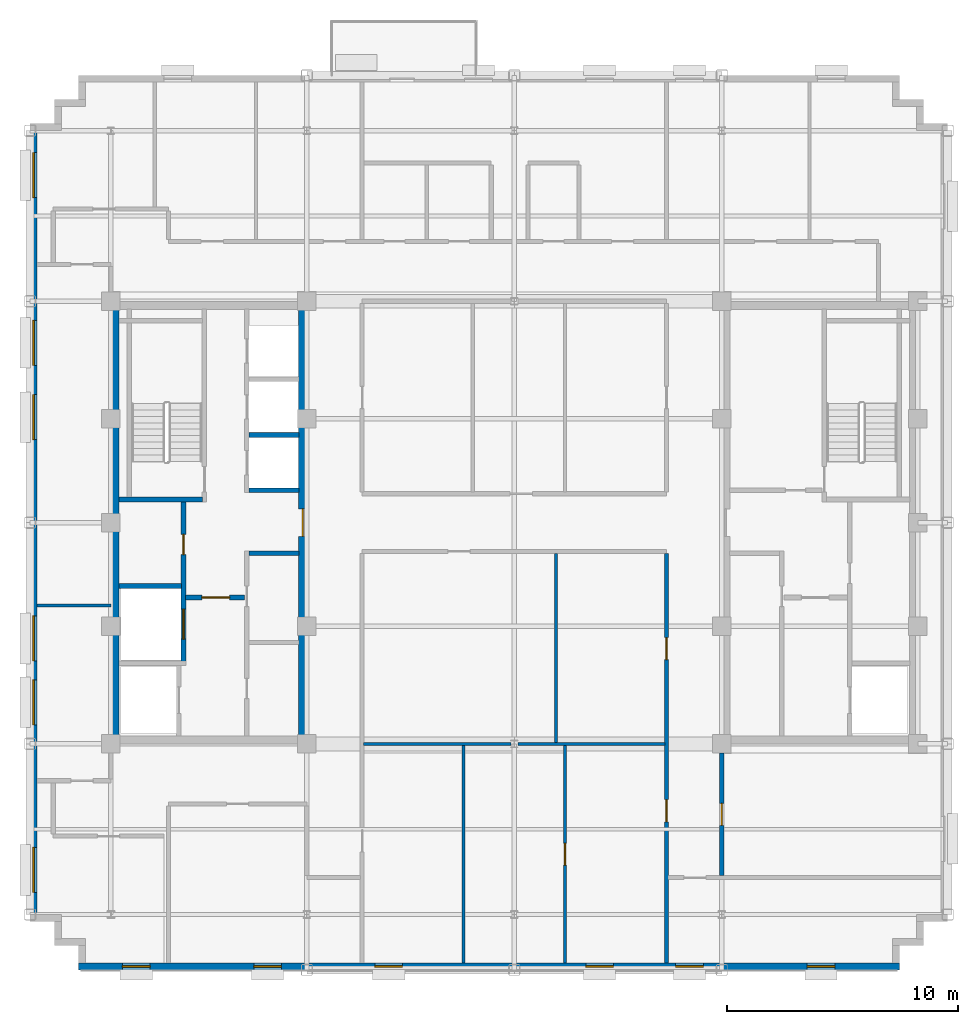
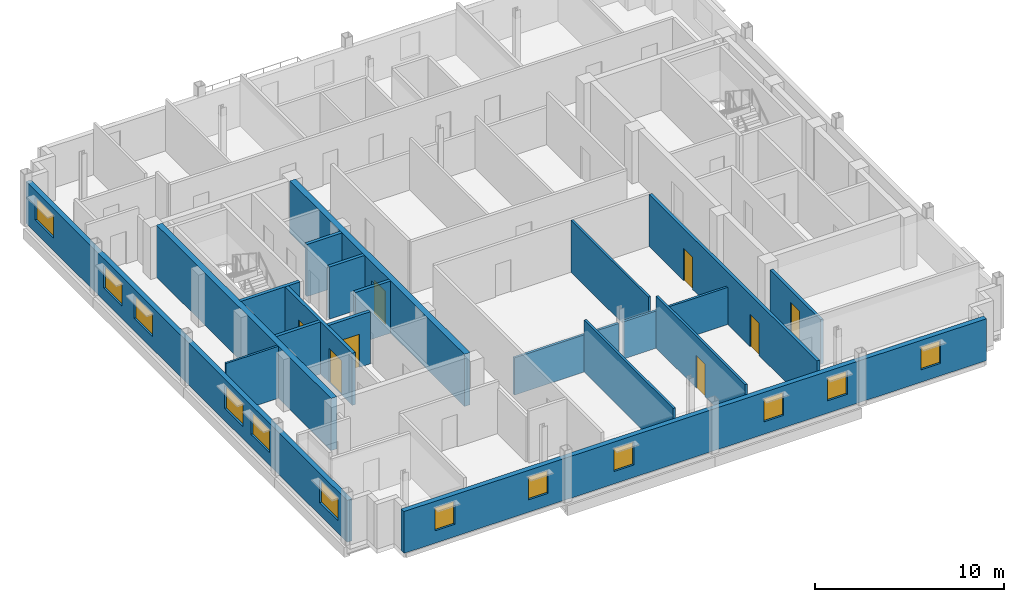
# One storey, part 6 of 14: 19 walls, 12 windows, 8 doors, 20 openings.
"""IFC4 building model written with IfcOpenShell, lengths in metres."""

from ifc_helpers import new_model, si_unit, direction, frame, frame_2d, origin, place, context, subcontext, project, spatial, rectangle, extrude, source, transform, mapped, material, layer, layer_set, type_object, type_shapes, element, fill, save


model = new_model("IFC4")

# Units and contexts
model_context = context("Model", 3, precision=1e-05, world=origin(), true_north=direction((0.0, 1.0)))
body_context = subcontext(model_context, "Body", "Model", "MODEL_VIEW")
ifc_project = project(units=[si_unit("LENGTHUNIT", "METRE"), si_unit("AREAUNIT", "SQUARE_METRE"), si_unit("VOLUMEUNIT", "CUBIC_METRE"), si_unit("PLANEANGLEUNIT", "RADIAN"), si_unit("MASSUNIT", "GRAM", prefix="KILO")], contexts=[model_context])

# Site, building, storey
site_placement = place(None, origin())
site = spatial("IfcSite", under=ifc_project, at=site_placement, CompositionType="ELEMENT")
building_placement = place(site_placement, origin())
building = spatial("IfcBuilding", under=site, at=building_placement, Name="Nuvemarco Arch Tower", CompositionType="ELEMENT")
storey_placement = place(building_placement, frame((0.0, 0.0, 268.89990234375)))
storey = spatial("IfcBuildingStorey", under=building, at=storey_placement, Name="L71", CompositionType="ELEMENT", Elevation=268.89990234375)

# Wall, openings, windows
ifc_material_1 = material(Name="Precast concrete C45/55", Category="concrete")
ifc_layer_1 = layer(ifc_material_1, 0.300048828125, Name="EW-HIGH-300")
ifc_layer_set_1 = layer_set([ifc_layer_1], Name="Precast concrete C45/55")
wall_type_1 = type_object("IfcWallType", Name="EW-HIGH-300", PredefinedType="STANDARD", material=ifc_layer_set_1)
wall_1_placement = place(storey_placement, frame((-18.89990234375, -19.25, 0.0), z_axis=(0.0, 0.0, 1.0), x_axis=(1.0, 0.0, 0.0)))
wall_1 = element("IfcWall", 1, at=wall_1_placement, inside=storey, type_object=wall_type_1, Name="L71 exterior precast facade wall 1", PredefinedType="STANDARD", context=body_context, shape_type="SweptSolid", body=[
    extrude(rectangle(XDim=35.599853515625, YDim=0.300048828125, at=frame_2d((17.7998046875, 0.0))), origin(), (0.0, 0.0, 1.0), 2.705078125),
])
opening_1_placement = place(wall_1_placement, frame((1.89990234375, 0.0, 0.800048828125)))
opening_1 = element("IfcOpeningElement", 2, at=opening_1_placement, cuts=wall_1, Name="Opening WN-8", PredefinedType="OPENING", context=body_context, shape_type="SweptSolid", body=[
    extrude(rectangle(XDim=1.199951171875, YDim=1.47998046875, at=frame_2d((0.60009765625, 0.739990234375))), frame((0.0, 0.159912109375, 0.0), z_axis=(0.0, -1.0, 0.0), x_axis=(1.0, 0.0, 0.0)), (0.0, 0.0, 1.0), 0.320068359375),
])
opening_2_placement = place(wall_1_placement, frame((7.60009765625, 0.0, 0.800048828125)))
opening_2 = element("IfcOpeningElement", 3, at=opening_2_placement, cuts=wall_1, Name="Opening WN-8", PredefinedType="OPENING", context=body_context, shape_type="SweptSolid", body=[
    extrude(rectangle(XDim=1.199951171875, YDim=1.47998046875, at=frame_2d((0.60009765625, 0.739990234375))), frame((0.0, 0.159912109375, 0.0), z_axis=(0.0, -1.0, 0.0), x_axis=(1.0, 0.0, 0.0)), (0.0, 0.0, 1.0), 0.320068359375),
])
opening_3_placement = place(wall_1_placement, frame((12.85009765625, 0.0, 0.800048828125)))
opening_3 = element("IfcOpeningElement", 4, at=opening_3_placement, cuts=wall_1, Name="Opening WN-8", PredefinedType="OPENING", context=body_context, shape_type="SweptSolid", body=[
    extrude(rectangle(XDim=1.199951171875, YDim=1.47998046875, at=frame_2d((0.60009765625, 0.739990234375))), frame((0.0, 0.159912109375, 0.0), z_axis=(0.0, -1.0, 0.0), x_axis=(1.0, 0.0, 0.0)), (0.0, 0.0, 1.0), 0.320068359375),
])
opening_4_placement = place(wall_1_placement, frame((22.0, 0.0, 0.800048828125)))
opening_4 = element("IfcOpeningElement", 5, at=opening_4_placement, cuts=wall_1, Name="Opening WN-8", PredefinedType="OPENING", context=body_context, shape_type="SweptSolid", body=[
    extrude(rectangle(XDim=1.199951171875, YDim=1.47998046875, at=frame_2d((0.60009765625, 0.739990234375))), frame((0.0, 0.159912109375, 0.0), z_axis=(0.0, -1.0, 0.0), x_axis=(1.0, 0.0, 0.0)), (0.0, 0.0, 1.0), 0.320068359375),
])
opening_5_placement = place(wall_1_placement, frame((25.89990234375, 0.0, 0.800048828125)))
opening_5 = element("IfcOpeningElement", 6, at=opening_5_placement, cuts=wall_1, Name="Opening WN-8", PredefinedType="OPENING", context=body_context, shape_type="SweptSolid", body=[
    extrude(rectangle(XDim=1.199951171875, YDim=1.47998046875, at=frame_2d((0.60009765625, 0.739990234375))), frame((0.0, 0.159912109375, 0.0), z_axis=(0.0, -1.0, 0.0), x_axis=(1.0, 0.0, 0.0)), (0.0, 0.0, 1.0), 0.320068359375),
])
opening_6_placement = place(wall_1_placement, frame((31.60009765625, 0.0, 0.800048828125)))
opening_6 = element("IfcOpeningElement", 7, at=opening_6_placement, cuts=wall_1, Name="Opening WN-8", PredefinedType="OPENING", context=body_context, shape_type="SweptSolid", body=[
    extrude(rectangle(XDim=1.199951171875, YDim=1.47998046875, at=frame_2d((0.60009765625, 0.739990234375))), frame((0.0, 0.159912109375, 0.0), z_axis=(0.0, -1.0, 0.0), x_axis=(1.0, 0.0, 0.0)), (0.0, 0.0, 1.0), 0.320068359375),
])
ifc_material_2 = material(Name="Insulated solar-control glass", Category="glass")
window_type_1 = type_object("IfcWindowType", Name="WN-HIGH-1200x1480", PartitioningType="SINGLE_PANEL", PredefinedType="WINDOW", material=ifc_material_2)
shared_shape_1 = source(origin(), body_context, "Body", "SweptSolid", [
    extrude(rectangle(XDim=1.199951171875, YDim=1.47998046875, at=frame_2d((0.60009765625, 0.739990234375))), frame((0.0, 0.030029296875, 0.0), z_axis=(0.0, -1.0, 0.0), x_axis=(1.0, 0.0, 0.0)), (0.0, 0.0, 1.0), 0.06005859375),
])
type_shapes(window_type_1, [shared_shape_1])
window_1_placement = place(opening_1_placement, origin())
window_1 = element("IfcWindow", 8, at=window_1_placement, inside=storey, type_object=window_type_1, Name="L71 punched facade window 1", OverallHeight=1.47998046875, OverallWidth=1.199951171875, PartitioningType="SINGLE_PANEL", PredefinedType="WINDOW", context=body_context, shape_type="MappedRepresentation", body=[
    mapped(shared_shape_1, transform((0.0, 0.0, 0.0), scale=1.0)),
])
fill(opening_1, window_1)
window_2_placement = place(opening_2_placement, origin())
window_2 = element("IfcWindow", 9, at=window_2_placement, inside=storey, type_object=window_type_1, Name="L71 punched facade window 2", OverallHeight=1.47998046875, OverallWidth=1.199951171875, PartitioningType="SINGLE_PANEL", PredefinedType="WINDOW", context=body_context, shape_type="MappedRepresentation", body=[
    mapped(shared_shape_1, transform((0.0, 0.0, 0.0), scale=1.0)),
])
fill(opening_2, window_2)
window_3_placement = place(opening_3_placement, origin())
window_3 = element("IfcWindow", 10, at=window_3_placement, inside=storey, type_object=window_type_1, Name="L71 punched facade window 3", OverallHeight=1.47998046875, OverallWidth=1.199951171875, PartitioningType="SINGLE_PANEL", PredefinedType="WINDOW", context=body_context, shape_type="MappedRepresentation", body=[
    mapped(shared_shape_1, transform((0.0, 0.0, 0.0), scale=1.0)),
])
fill(opening_3, window_3)
window_4_placement = place(opening_4_placement, origin())
window_4 = element("IfcWindow", 11, at=window_4_placement, inside=storey, type_object=window_type_1, Name="L71 punched facade window 5", OverallHeight=1.47998046875, OverallWidth=1.199951171875, PartitioningType="SINGLE_PANEL", PredefinedType="WINDOW", context=body_context, shape_type="MappedRepresentation", body=[
    mapped(shared_shape_1, transform((0.0, 0.0, 0.0), scale=1.0)),
])
fill(opening_4, window_4)
window_5_placement = place(opening_5_placement, origin())
window_5 = element("IfcWindow", 12, at=window_5_placement, inside=storey, type_object=window_type_1, Name="L71 punched facade window 6", OverallHeight=1.47998046875, OverallWidth=1.199951171875, PartitioningType="SINGLE_PANEL", PredefinedType="WINDOW", context=body_context, shape_type="MappedRepresentation", body=[
    mapped(shared_shape_1, transform((0.0, 0.0, 0.0), scale=1.0)),
])
fill(opening_5, window_5)
window_6_placement = place(opening_6_placement, origin())
window_6 = element("IfcWindow", 13, at=window_6_placement, inside=storey, type_object=window_type_1, Name="L71 punched facade window 7", OverallHeight=1.47998046875, OverallWidth=1.199951171875, PartitioningType="SINGLE_PANEL", PredefinedType="WINDOW", context=body_context, shape_type="MappedRepresentation", body=[
    mapped(shared_shape_1, transform((0.0, 0.0, 0.0), scale=1.0)),
])
fill(opening_6, window_6)

wall_2_placement = place(storey_placement, frame((-20.85009765625, -17.00390625, 0.0), z_axis=(0.0, 0.0, 1.0), x_axis=(0.0, 1.0, 0.0)))
wall_2 = element("IfcWall", 14, at=wall_2_placement, inside=storey, type_object=wall_type_1, Name="L71 exterior precast facade wall 16", PredefinedType="STANDARD", context=body_context, shape_type="SweptSolid", body=[
    extrude(rectangle(XDim=34.0078125, YDim=0.300048828125, at=frame_2d((17.00390625, 0.0))), origin(), (0.0, 0.0, 1.0), 2.705078125),
])
opening_7_placement = place(wall_2_placement, frame((0.961181640625, 0.0, 0.800048828125)))
opening_7 = element("IfcOpeningElement", 15, at=opening_7_placement, cuts=wall_2, Name="Opening WN-7", PredefinedType="OPENING", context=body_context, shape_type="SweptSolid", body=[
    extrude(rectangle(XDim=1.949951171875, YDim=1.47998046875, at=frame_2d((0.97509765625, 0.739990234375))), frame((0.0, 0.159912109375, 0.0), z_axis=(0.0, -1.0, 0.0), x_axis=(1.0, 0.0, 0.0)), (0.0, 0.0, 1.0), 0.320068359375),
])
opening_8_placement = place(wall_2_placement, frame((8.23388671875, 0.0, 0.800048828125)))
opening_8 = element("IfcOpeningElement", 16, at=opening_8_placement, cuts=wall_2, Name="Opening WN-7", PredefinedType="OPENING", context=body_context, shape_type="SweptSolid", body=[
    extrude(rectangle(XDim=1.949951171875, YDim=1.47998046875, at=frame_2d((0.97509765625, 0.739990234375))), frame((0.0, 0.159912109375, 0.0), z_axis=(0.0, -1.0, 0.0), x_axis=(1.0, 0.0, 0.0)), (0.0, 0.0, 1.0), 0.320068359375),
])
opening_9_placement = place(wall_2_placement, frame((11.00634765625, 0.0, 0.800048828125)))
opening_9 = element("IfcOpeningElement", 17, at=opening_9_placement, cuts=wall_2, Name="Opening WN-7", PredefinedType="OPENING", context=body_context, shape_type="SweptSolid", body=[
    extrude(rectangle(XDim=1.949951171875, YDim=1.47998046875, at=frame_2d((0.97509765625, 0.739990234375))), frame((0.0, 0.159912109375, 0.0), z_axis=(0.0, -1.0, 0.0), x_axis=(1.0, 0.0, 0.0)), (0.0, 0.0, 1.0), 0.320068359375),
])
opening_10_placement = place(wall_2_placement, frame((20.6015625, 0.0, 0.800048828125)))
opening_10 = element("IfcOpeningElement", 18, at=opening_10_placement, cuts=wall_2, Name="Opening WN-7", PredefinedType="OPENING", context=body_context, shape_type="SweptSolid", body=[
    extrude(rectangle(XDim=1.949951171875, YDim=1.47998046875, at=frame_2d((0.97509765625, 0.739990234375))), frame((0.0, 0.159912109375, 0.0), z_axis=(0.0, -1.0, 0.0), x_axis=(1.0, 0.0, 0.0)), (0.0, 0.0, 1.0), 0.320068359375),
])
opening_11_placement = place(wall_2_placement, frame((23.82421875, 0.0, 0.800048828125)))
opening_11 = element("IfcOpeningElement", 19, at=opening_11_placement, cuts=wall_2, Name="Opening WN-7", PredefinedType="OPENING", context=body_context, shape_type="SweptSolid", body=[
    extrude(rectangle(XDim=1.949951171875, YDim=1.47998046875, at=frame_2d((0.97509765625, 0.739990234375))), frame((0.0, 0.159912109375, 0.0), z_axis=(0.0, -1.0, 0.0), x_axis=(1.0, 0.0, 0.0)), (0.0, 0.0, 1.0), 0.320068359375),
])
opening_12_placement = place(wall_2_placement, frame((31.0966796875, 0.0, 0.800048828125)))
opening_12 = element("IfcOpeningElement", 20, at=opening_12_placement, cuts=wall_2, Name="Opening WN-7", PredefinedType="OPENING", context=body_context, shape_type="SweptSolid", body=[
    extrude(rectangle(XDim=1.949951171875, YDim=1.47998046875, at=frame_2d((0.97509765625, 0.739990234375))), frame((0.0, 0.159912109375, 0.0), z_axis=(0.0, -1.0, 0.0), x_axis=(1.0, 0.0, 0.0)), (0.0, 0.0, 1.0), 0.320068359375),
])
window_type_2 = type_object("IfcWindowType", Name="WN-HIGH-1950x1480", PartitioningType="DOUBLE_PANEL_VERTICAL", PredefinedType="WINDOW", material=ifc_material_2)
shared_shape_2 = source(origin(), body_context, "Body", "SweptSolid", [
    extrude(rectangle(XDim=1.949951171875, YDim=1.47998046875, at=frame_2d((0.97509765625, 0.739990234375))), frame((0.0, 0.030029296875, 0.0), z_axis=(0.0, -1.0, 0.0), x_axis=(1.0, 0.0, 0.0)), (0.0, 0.0, 1.0), 0.06005859375),
])
type_shapes(window_type_2, [shared_shape_2])
window_7_placement = place(opening_7_placement, origin())
window_7 = element("IfcWindow", 21, at=window_7_placement, inside=storey, type_object=window_type_2, Name="L71 punched facade window 1", OverallHeight=1.47998046875, OverallWidth=1.949951171875, PartitioningType="SINGLE_PANEL", PredefinedType="WINDOW", context=body_context, shape_type="MappedRepresentation", body=[
    mapped(shared_shape_2, transform((0.0, 0.0, 0.0), scale=1.0)),
])
fill(opening_7, window_7)
window_8_placement = place(opening_8_placement, origin())
window_8 = element("IfcWindow", 22, at=window_8_placement, inside=storey, type_object=window_type_2, Name="L71 punched facade window 2", OverallHeight=1.47998046875, OverallWidth=1.949951171875, PartitioningType="SINGLE_PANEL", PredefinedType="WINDOW", context=body_context, shape_type="MappedRepresentation", body=[
    mapped(shared_shape_2, transform((0.0, 0.0, 0.0), scale=1.0)),
])
fill(opening_8, window_8)
window_9_placement = place(opening_9_placement, origin())
window_9 = element("IfcWindow", 23, at=window_9_placement, inside=storey, type_object=window_type_2, Name="L71 punched facade window 3", OverallHeight=1.47998046875, OverallWidth=1.949951171875, PartitioningType="SINGLE_PANEL", PredefinedType="WINDOW", context=body_context, shape_type="MappedRepresentation", body=[
    mapped(shared_shape_2, transform((0.0, 0.0, 0.0), scale=1.0)),
])
fill(opening_9, window_9)
window_10_placement = place(opening_10_placement, origin())
window_10 = element("IfcWindow", 24, at=window_10_placement, inside=storey, type_object=window_type_2, Name="L71 punched facade window 5", OverallHeight=1.47998046875, OverallWidth=1.949951171875, PartitioningType="SINGLE_PANEL", PredefinedType="WINDOW", context=body_context, shape_type="MappedRepresentation", body=[
    mapped(shared_shape_2, transform((0.0, 0.0, 0.0), scale=1.0)),
])
fill(opening_10, window_10)
window_11_placement = place(opening_11_placement, origin())
window_11 = element("IfcWindow", 25, at=window_11_placement, inside=storey, type_object=window_type_2, Name="L71 punched facade window 6", OverallHeight=1.47998046875, OverallWidth=1.949951171875, PartitioningType="SINGLE_PANEL", PredefinedType="WINDOW", context=body_context, shape_type="MappedRepresentation", body=[
    mapped(shared_shape_2, transform((0.0, 0.0, 0.0), scale=1.0)),
])
fill(opening_11, window_11)
window_12_placement = place(opening_12_placement, origin())
window_12 = element("IfcWindow", 26, at=window_12_placement, inside=storey, type_object=window_type_2, Name="L71 punched facade window 7", OverallHeight=1.47998046875, OverallWidth=1.949951171875, PartitioningType="SINGLE_PANEL", PredefinedType="WINDOW", context=body_context, shape_type="MappedRepresentation", body=[
    mapped(shared_shape_2, transform((0.0, 0.0, 0.0), scale=1.0)),
])
fill(opening_12, window_12)

# Wall
ifc_material_3 = material(Name="Concrete C50/60", Category="concrete")
ifc_layer_2 = layer(ifc_material_3, 0.35009765625, Name="WL-CORE-350")
ifc_layer_set_2 = layer_set([ifc_layer_2], Name="Concrete C50/60")
wall_type_2 = type_object("IfcWallType", Name="WL-CORE-350", PredefinedType="SHEAR", material=ifc_layer_set_2)
wall_3_placement = place(storey_placement, frame((-17.324951171875, -9.2548828125, 0.0), z_axis=(0.0, 0.0, 1.0), x_axis=(0.0, 1.0, 0.0)))
element("IfcWall", 27, at=wall_3_placement, inside=storey, type_object=wall_type_2, Name="L71 W-core shear wall W", PredefinedType="SHEAR", context=body_context, shape_type="SweptSolid", body=[
    extrude(rectangle(XDim=18.509765625, YDim=0.35009765625, at=frame_2d((9.2548828125, 0.0))), origin(), (0.0, 0.0, 1.0), 3.3701171875),
])

# Wall, opening, door
wall_4_placement = place(storey_placement, frame((-9.175048828125, -9.2548828125, 0.0), z_axis=(0.0, 0.0, 1.0), x_axis=(0.0, 1.0, 0.0)))
wall_4 = element("IfcWall", 28, at=wall_4_placement, inside=storey, type_object=wall_type_2, Name="L71 W-core shear wall E", PredefinedType="SHEAR", context=body_context, shape_type="SweptSolid", body=[
    extrude(rectangle(XDim=18.509765625, YDim=0.35009765625, at=frame_2d((9.2548828125, 0.0))), origin(), (0.0, 0.0, 1.0), 3.3701171875),
])
opening_13_placement = place(wall_4_placement, frame((8.655029296875, 0.0, 0.0)))
opening_13 = element("IfcOpeningElement", 29, at=opening_13_placement, cuts=wall_4, Name="Opening FD-2", PredefinedType="OPENING", context=body_context, shape_type="SweptSolid", body=[
    extrude(rectangle(XDim=1.199951171875, YDim=2.14990234375, at=frame_2d((0.60009765625, 1.074951171875))), frame((0.0, 0.18505859375, 0.0), z_axis=(0.0, -1.0, 0.0), x_axis=(1.0, 0.0, 0.0)), (0.0, 0.0, 1.0), 0.3701171875),
])
ifc_material_4 = material(Name="Anodised steel fire door", Category="steel")
door_type_1 = type_object("IfcDoorType", Name="DR-FFLOB-FD", OperationType="NOTDEFINED", PredefinedType="DOOR", material=ifc_material_4)
shared_shape_3 = source(origin(), body_context, "Body", "SweptSolid", [
    extrude(rectangle(XDim=1.199951171875, YDim=2.14990234375, at=frame_2d((0.60009765625, 1.074951171875))), frame((0.0, 0.02490234375, 0.0), z_axis=(0.0, -1.0, 0.0), x_axis=(1.0, 0.0, 0.0)), (0.0, 0.0, 1.0), 0.050048828125),
])
type_shapes(door_type_1, [shared_shape_3])
door_1_placement = place(opening_13_placement, origin())
door_1 = element("IfcDoor", 30, at=door_1_placement, inside=storey, type_object=door_type_1, Name="L71 door FD-L71-WCORE-E", OperationType="SINGLE_SWING_RIGHT", OverallHeight=2.14990234375, OverallWidth=1.199951171875, PredefinedType="DOOR", context=body_context, shape_type="MappedRepresentation", body=[
    mapped(shared_shape_3, transform((0.0, 0.0, 0.0), scale=1.0)),
])
fill(opening_13, door_1)

# Wall, openings, doors
ifc_material_5 = material(Name="Fire-rated gypsum drywall partition")
ifc_layer_3 = layer(ifc_material_5, 0.179931640625, Name="WL-CORR-180")
ifc_layer_set_3 = layer_set([ifc_layer_3], Name="Fire-rated gypsum drywall partition")
wall_type_3 = type_object("IfcWallType", Name="WL-CORR-180", PredefinedType="PARTITIONING", material=ifc_layer_set_3)
wall_5_placement = place(storey_placement, frame((6.60009765625, -19.10009765625, 0.0), z_axis=(0.0, 0.0, 1.0), x_axis=(0.0, 1.0, 0.0)))
wall_5 = element("IfcWall", 31, at=wall_5_placement, inside=storey, type_object=wall_type_3, Name="L71 interior wall IW-L71-039", PredefinedType="PARTITIONING", context=body_context, shape_type="SweptSolid", body=[
    extrude(rectangle(XDim=17.76416015625, YDim=0.179931640625, at=frame_2d((8.882080078125, 0.0))), origin(), (0.0, 0.0, 1.0), 3.360107421875),
])
opening_14_placement = place(wall_5_placement, frame((13.152099609375, 0.0, 0.0)))
opening_14 = element("IfcOpeningElement", 32, at=opening_14_placement, cuts=wall_5, Name="Opening FD-5", PredefinedType="OPENING", context=body_context, shape_type="SweptSolid", body=[
    extrude(rectangle(XDim=0.9599609375, YDim=2.10009765625, at=frame_2d((0.47998046875, 1.050048828125))), frame((0.0, 0.099853515625, 0.0), z_axis=(0.0, -1.0, 0.0), x_axis=(1.0, 0.0, 0.0)), (0.0, 0.0, 1.0), 0.199951171875),
])
opening_15_placement = place(wall_5_placement, frame((6.1201171875, 0.0, 0.0)))
opening_15 = element("IfcOpeningElement", 33, at=opening_15_placement, cuts=wall_5, Name="Opening FD-5", PredefinedType="OPENING", context=body_context, shape_type="SweptSolid", body=[
    extrude(rectangle(XDim=0.9599609375, YDim=2.10009765625, at=frame_2d((0.47998046875, 1.050048828125))), frame((0.0, 0.099853515625, 0.0), z_axis=(0.0, -1.0, 0.0), x_axis=(1.0, 0.0, 0.0)), (0.0, 0.0, 1.0), 0.199951171875),
])
ifc_material_6 = material(Name="Timber fire door", Category="wood")
door_type_2 = type_object("IfcDoorType", Name="DR-CORR-FD", OperationType="NOTDEFINED", PredefinedType="DOOR", material=ifc_material_6)
shared_shape_4 = source(origin(), body_context, "Body", "SweptSolid", [
    extrude(rectangle(XDim=0.9599609375, YDim=2.10009765625, at=frame_2d((0.47998046875, 1.050048828125))), frame((0.0, 0.02490234375, 0.0), z_axis=(0.0, -1.0, 0.0), x_axis=(1.0, 0.0, 0.0)), (0.0, 0.0, 1.0), 0.050048828125),
])
type_shapes(door_type_2, [shared_shape_4])
door_2_placement = place(opening_14_placement, origin())
door_2 = element("IfcDoor", 34, at=door_2_placement, inside=storey, type_object=door_type_2, Name="L71 door DR-L71-C_S2", OperationType="SINGLE_SWING_RIGHT", OverallHeight=2.10009765625, OverallWidth=0.9599609375, PredefinedType="DOOR", context=body_context, shape_type="MappedRepresentation", body=[
    mapped(shared_shape_4, transform((0.0, 0.0, 0.0), scale=1.0)),
])
fill(opening_14, door_2)
door_3_placement = place(opening_15_placement, origin())
door_3 = element("IfcDoor", 35, at=door_3_placement, inside=storey, type_object=door_type_2, Name="L71 door DR-L71-S_5", OperationType="SINGLE_SWING_RIGHT", OverallHeight=2.10009765625, OverallWidth=0.9599609375, PredefinedType="DOOR", context=body_context, shape_type="MappedRepresentation", body=[
    mapped(shared_shape_4, transform((0.0, 0.0, 0.0), scale=1.0)),
])
fill(opening_15, door_3)

# Wall, opening, door
wall_6_placement = place(storey_placement, frame((9.0, -15.31396484375, 0.0), z_axis=(0.0, 0.0, 1.0), x_axis=(0.0, 1.0, 0.0)))
wall_6 = element("IfcWall", 36, at=wall_6_placement, inside=storey, type_object=wall_type_3, Name="L71 interior wall IW-L71-042", PredefinedType="PARTITIONING", context=body_context, shape_type="SweptSolid", body=[
    extrude(rectangle(XDim=5.31787109375, YDim=0.179931640625, at=frame_2d((2.658935546875, 0.0))), origin(), (0.0, 0.0, 1.0), 2.89208984375),
])
opening_16_placement = place(wall_6_placement, frame((2.178955078125, 0.0, 0.0)))
opening_16 = element("IfcOpeningElement", 37, at=opening_16_placement, cuts=wall_6, Name="Opening FD-5", PredefinedType="OPENING", context=body_context, shape_type="SweptSolid", body=[
    extrude(rectangle(XDim=0.9599609375, YDim=2.10009765625, at=frame_2d((0.47998046875, 1.050048828125))), frame((0.0, 0.099853515625, 0.0), z_axis=(0.0, -1.0, 0.0), x_axis=(1.0, 0.0, 0.0)), (0.0, 0.0, 1.0), 0.199951171875),
])
door_4_placement = place(opening_16_placement, origin())
door_4 = element("IfcDoor", 38, at=door_4_placement, inside=storey, type_object=door_type_2, Name="L71 door DR-L71-S_6", OperationType="SINGLE_SWING_LEFT", OverallHeight=2.10009765625, OverallWidth=0.9599609375, PredefinedType="DOOR", context=body_context, shape_type="MappedRepresentation", body=[
    mapped(shared_shape_4, transform((0.0, 0.0, 0.0), scale=1.0)),
])
fill(opening_16, door_4)

# Walls
ifc_material_7 = material(Name="Glazed acoustic office partition")
ifc_layer_4 = layer(ifc_material_7, 0.1298828125, Name="WL-EXEC-130")
ifc_layer_set_4 = layer_set([ifc_layer_4], Name="Glazed acoustic office partition")
wall_type_4 = type_object("IfcWallType", Name="WL-EXEC-130", PredefinedType="PARTITIONING", material=ifc_layer_set_4)
wall_7_placement = place(storey_placement, frame((-20.699951171875, -3.60009765625, 0.0), z_axis=(0.0, 0.0, 1.0), x_axis=(1.0, 0.0, 0.0)))
element("IfcWall", 39, at=wall_7_placement, inside=storey, type_object=wall_type_4, Name="L71 interior wall IW-L71-008", PredefinedType="PARTITIONING", context=body_context, shape_type="SweptSolid", body=[
    extrude(rectangle(XDim=3.199951171875, YDim=0.1298828125, at=frame_2d((1.60009765625, 0.0))), origin(), (0.0, 0.0, 1.0), 3.360107421875),
])
wall_8_placement = place(storey_placement, frame((1.800048828125, -9.533935546875, 0.0), z_axis=(0.0, 0.0, 1.0), x_axis=(0.0, 1.0, 0.0)))
element("IfcWall", 40, at=wall_8_placement, inside=storey, type_object=wall_type_4, Name="L71 interior wall IW-L71-035", PredefinedType="PARTITIONING", context=body_context, shape_type="SweptSolid", body=[
    extrude(rectangle(XDim=8.197998046875, YDim=0.1298828125, at=frame_2d((4.09912109375, 0.0))), origin(), (0.0, 0.0, 1.0), 3.360107421875),
])
ifc_material_8 = material(Name="Gypsum plasterboard partition")
ifc_layer_5 = layer(ifc_material_8, 0.139892578125, Name="WL-ROOM-140")
ifc_layer_set_5 = layer_set([ifc_layer_5], Name="Gypsum plasterboard partition")
wall_type_5 = type_object("IfcWallType", Name="WL-ROOM-140", PredefinedType="PARTITIONING", material=ifc_layer_set_5)
wall_9_placement = place(storey_placement, frame((-6.533935546875, -9.60009765625, 0.0), z_axis=(0.0, 0.0, 1.0), x_axis=(1.0, 0.0, 0.0)))
element("IfcWall", 41, at=wall_9_placement, inside=storey, type_object=wall_type_5, Name="L71 interior wall IW-L71-006", PredefinedType="PARTITIONING", context=body_context, shape_type="SweptSolid", body=[
    extrude(rectangle(XDim=6.383056640625, YDim=0.139892578125, at=frame_2d((3.19140625, 0.0))), origin(), (0.0, 0.0, 1.0), 2.405029296875),
])
wall_10_placement = place(storey_placement, frame((0.15087890625, -9.60009765625, 0.0), z_axis=(0.0, 0.0, 1.0), x_axis=(1.0, 0.0, 0.0)))
element("IfcWall", 42, at=wall_10_placement, inside=storey, type_object=wall_type_5, Name="L71 interior wall IW-L71-007", PredefinedType="PARTITIONING", context=body_context, shape_type="SweptSolid", body=[
    extrude(rectangle(XDim=6.38818359375, YDim=0.139892578125, at=frame_2d((3.194091796875, 0.0))), origin(), (0.0, 0.0, 1.0), 2.405029296875),
])
wall_11_placement = place(storey_placement, frame((-2.199951171875, -19.10009765625, 0.0), z_axis=(0.0, 0.0, 1.0), x_axis=(0.0, 1.0, 0.0)))
element("IfcWall", 43, at=wall_11_placement, inside=storey, type_object=wall_type_5, Name="L71 interior wall IW-L71-031", PredefinedType="PARTITIONING", context=body_context, shape_type="SweptSolid", body=[
    extrude(rectangle(XDim=9.43408203125, YDim=0.139892578125, at=frame_2d((4.717041015625, 0.0))), origin(), (0.0, 0.0, 1.0), 3.360107421875),
])

# Wall, opening, door
wall_12_placement = place(storey_placement, frame((2.199951171875, -19.10009765625, 0.0), z_axis=(0.0, 0.0, 1.0), x_axis=(0.0, 1.0, 0.0)))
wall_12 = element("IfcWall", 44, at=wall_12_placement, inside=storey, type_object=wall_type_5, Name="L71 interior wall IW-L71-036", PredefinedType="PARTITIONING", context=body_context, shape_type="SweptSolid", body=[
    extrude(rectangle(XDim=9.43408203125, YDim=0.139892578125, at=frame_2d((4.717041015625, 0.0))), origin(), (0.0, 0.0, 1.0), 3.360107421875),
])
opening_17_placement = place(wall_12_placement, frame((4.2470703125, 0.0, 0.0)))
opening_17 = element("IfcOpeningElement", 45, at=opening_17_placement, cuts=wall_12, Name="Opening ID-1", PredefinedType="OPENING", context=body_context, shape_type="SweptSolid", body=[
    extrude(rectangle(XDim=0.93994140625, YDim=2.10009765625, at=frame_2d((0.469970703125, 1.050048828125))), frame((0.0, 0.079833984375, 0.0), z_axis=(0.0, -1.0, 0.0), x_axis=(1.0, 0.0, 0.0)), (0.0, 0.0, 1.0), 0.159912109375),
])
ifc_material_9 = material(Name="Veneered oak timber door", Category="wood")
door_type_3 = type_object("IfcDoorType", Name="DR-OFFICE-1", OperationType="NOTDEFINED", PredefinedType="DOOR", material=ifc_material_9)
shared_shape_5 = source(origin(), body_context, "Body", "SweptSolid", [
    extrude(rectangle(XDim=0.93994140625, YDim=2.10009765625, at=frame_2d((0.469970703125, 1.050048828125))), frame((0.0, 0.02490234375, 0.0), z_axis=(0.0, -1.0, 0.0), x_axis=(1.0, 0.0, 0.0)), (0.0, 0.0, 1.0), 0.050048828125),
])
type_shapes(door_type_3, [shared_shape_5])
door_5_placement = place(opening_17_placement, origin())
door_5 = element("IfcDoor", 46, at=door_5_placement, inside=storey, type_object=door_type_3, Name="L71 door DR-L71-S_4", OperationType="SINGLE_SWING_LEFT", OverallHeight=2.10009765625, OverallWidth=0.93994140625, PredefinedType="DOOR", context=body_context, shape_type="MappedRepresentation", body=[
    mapped(shared_shape_5, transform((0.0, 0.0, 0.0), scale=1.0)),
])
fill(opening_17, door_5)

# Wall
ifc_layer_6 = layer(ifc_material_3, 0.199951171875, Name="WL-SHAFT-220")
ifc_layer_set_6 = layer_set([ifc_layer_6], Name="Concrete C50/60")
wall_type_6 = type_object("IfcWallType", Name="WL-SHAFT-220", PredefinedType="SHEAR", material=ifc_layer_set_6)
wall_13_placement = place(storey_placement, frame((-17.155029296875, 1.0, 0.0), z_axis=(0.0, 0.0, 1.0), x_axis=(1.0, 0.0, 0.0)))
element("IfcWall", 47, at=wall_13_placement, inside=storey, type_object=wall_type_6, Name="L71 structural shaft wall SW-L71-W-ST1S", PredefinedType="SHEAR", context=body_context, shape_type="SweptSolid", body=[
    extrude(rectangle(XDim=3.6201171875, YDim=0.199951171875, at=frame_2d((1.81005859375, 0.0))), origin(), (0.0, 0.0, 1.0), 3.3701171875),
])

# Wall, openings, doors
wall_14_placement = place(storey_placement, frame((-14.35009765625, -6.199951171875, 0.0), z_axis=(0.0, 0.0, 1.0), x_axis=(0.0, 1.0, 0.0)))
wall_14 = element("IfcWall", 48, at=wall_14_placement, inside=storey, type_object=wall_type_6, Name="L71 structural shaft wall SW-L71-W-SVE", PredefinedType="SHEAR", context=body_context, shape_type="SweptSolid", body=[
    extrude(rectangle(XDim=7.10498046875, YDim=0.199951171875, at=frame_2d((3.552490234375, 0.0))), origin(), (0.0, 0.0, 1.0), 3.3701171875),
])
opening_18_placement = place(wall_14_placement, frame((5.68994140625, 0.0, 0.0), z_axis=(0.0, 0.0, 1.0), x_axis=(-1.0, 0.0, 0.0)))
opening_18 = element("IfcOpeningElement", 49, at=opening_18_placement, cuts=wall_14, Name="Opening FD-4", PredefinedType="OPENING", context=body_context, shape_type="SweptSolid", body=[
    extrude(rectangle(XDim=0.8798828125, YDim=2.10009765625, at=frame_2d((0.43994140625, 1.050048828125))), frame((0.0, 0.10986328125, 0.0), z_axis=(0.0, -1.0, 0.0), x_axis=(1.0, 0.0, 0.0)), (0.0, 0.0, 1.0), 0.219970703125),
])
opening_19_placement = place(wall_14_placement, frame((1.14990234375, 0.0, 0.0)))
opening_19 = element("IfcOpeningElement", 50, at=opening_19_placement, cuts=wall_14, Name="Opening LD-3", PredefinedType="OPENING", context=body_context, shape_type="SweptSolid", body=[
    extrude(rectangle(XDim=1.300048828125, YDim=2.199951171875, at=frame_2d((0.64990234375, 1.10009765625))), frame((0.0, 0.10986328125, 0.0), z_axis=(0.0, -1.0, 0.0), x_axis=(1.0, 0.0, 0.0)), (0.0, 0.0, 1.0), 0.219970703125),
])
door_type_4 = type_object("IfcDoorType", Name="DR-RISER-FD", OperationType="NOTDEFINED", PredefinedType="DOOR", material=ifc_material_4)
shared_shape_6 = source(origin(), body_context, "Body", "SweptSolid", [
    extrude(rectangle(XDim=0.8798828125, YDim=2.10009765625, at=frame_2d((0.43994140625, 1.050048828125))), frame((0.0, 0.02490234375, 0.0), z_axis=(0.0, -1.0, 0.0), x_axis=(1.0, 0.0, 0.0)), (0.0, 0.0, 1.0), 0.050048828125),
])
type_shapes(door_type_4, [shared_shape_6])
door_6_placement = place(opening_18_placement, origin())
door_6 = element("IfcDoor", 51, at=door_6_placement, inside=storey, type_object=door_type_4, Name="L71 door FD-L71-WRIS", OperationType="SINGLE_SWING_LEFT", OverallHeight=2.10009765625, OverallWidth=0.8798828125, PredefinedType="DOOR", context=body_context, shape_type="MappedRepresentation", body=[
    mapped(shared_shape_6, transform((0.0, 0.0, 0.0), scale=1.0)),
])
fill(opening_18, door_6)
ifc_material_10 = material(Name="Stainless steel lift door", Category="steel")
door_type_5 = type_object("IfcDoorType", Name="DR-LIFT-SERV", OperationType="DOUBLE_DOOR_SLIDING", PredefinedType="DOOR", material=ifc_material_10)
shared_shape_7 = source(origin(), body_context, "Body", "SweptSolid", [
    extrude(rectangle(XDim=1.300048828125, YDim=2.199951171875, at=frame_2d((0.64990234375, 1.10009765625))), frame((0.0, 0.02490234375, 0.0), z_axis=(0.0, -1.0, 0.0), x_axis=(1.0, 0.0, 0.0)), (0.0, 0.0, 1.0), 0.050048828125),
])
type_shapes(door_type_5, [shared_shape_7])
door_7_placement = place(opening_19_placement, origin())
door_7 = element("IfcDoor", 52, at=door_7_placement, inside=storey, type_object=door_type_5, Name="L71 Lift landing sliding door SVL-1", OperationType="DOUBLE_DOOR_SLIDING", OverallHeight=2.199951171875, OverallWidth=1.300048828125, PredefinedType="DOOR", context=body_context, shape_type="MappedRepresentation", body=[
    mapped(shared_shape_7, transform((0.0, 0.0, 0.0), scale=1.0)),
])
fill(opening_19, door_7)

# Wall
wall_15_placement = place(storey_placement, frame((-17.155029296875, -2.75, 0.0), z_axis=(0.0, 0.0, 1.0), x_axis=(1.0, 0.0, 0.0)))
element("IfcWall", 53, at=wall_15_placement, inside=storey, type_object=wall_type_6, Name="L71 structural shaft wall SW-L71-W-SH2", PredefinedType="SHEAR", context=body_context, shape_type="SweptSolid", body=[
    extrude(rectangle(XDim=2.7099609375, YDim=0.199951171875, at=frame_2d((1.35498046875, 0.0))), origin(), (0.0, 0.0, 1.0), 3.3701171875),
])

# Wall, opening, door
wall_16_placement = place(storey_placement, frame((-14.2548828125, -3.25, 0.0), z_axis=(0.0, 0.0, 1.0), x_axis=(1.0, 0.0, 0.0)))
wall_16 = element("IfcWall", 54, at=wall_16_placement, inside=storey, type_object=wall_type_6, Name="L71 structural shaft wall SW-L71-W-FFN", PredefinedType="SHEAR", context=body_context, shape_type="SweptSolid", body=[
    extrude(rectangle(XDim=2.559814453125, YDim=0.199951171875, at=frame_2d((1.27978515625, 0.0))), origin(), (0.0, 0.0, 1.0), 3.3701171875),
])
opening_20_placement = place(wall_16_placement, frame((0.705078125, 0.0, 0.0)))
opening_20 = element("IfcOpeningElement", 55, at=opening_20_placement, cuts=wall_16, Name="Opening FD-2", PredefinedType="OPENING", context=body_context, shape_type="SweptSolid", body=[
    extrude(rectangle(XDim=1.199951171875, YDim=2.14990234375, at=frame_2d((0.60009765625, 1.074951171875))), frame((0.0, 0.10986328125, 0.0), z_axis=(0.0, -1.0, 0.0), x_axis=(1.0, 0.0, 0.0)), (0.0, 0.0, 1.0), 0.219970703125),
])
door_8_placement = place(opening_20_placement, origin())
door_8 = element("IfcDoor", 56, at=door_8_placement, inside=storey, type_object=door_type_1, Name="L71 door FD-L71-WFF1", OperationType="SINGLE_SWING_LEFT", OverallHeight=2.14990234375, OverallWidth=1.199951171875, PredefinedType="DOOR", context=body_context, shape_type="MappedRepresentation", body=[
    mapped(shared_shape_3, transform((0.0, 0.0, 0.0), scale=1.0)),
])
fill(opening_20, door_8)

# Walls
for number, where, z_axis, x_axis, name in (
    (57, (-11.5048828125, -1.330078125, 0.0), (0.0, 0.0, 1.0), (1.0, 0.0, 0.0), "L71 structural shaft wall SW-L71-W-PLTOP"),
    (58, (-11.5048828125, 1.39990234375, 0.0), (0.0, 0.0, 1.0), (1.0, 0.0, 0.0), "L71 structural shaft wall SW-L71-W-PHD1"),
    (59, (-11.5048828125, 3.800048828125, 0.0), (0.0, 0.0, 1.0), (1.0, 0.0, 0.0), "L71 structural shaft wall SW-L71-W-PHD2"),
):
    element("IfcWall", number, at=place(storey_placement, frame(where, z_axis=z_axis, x_axis=x_axis)), inside=storey, type_object=wall_type_6, Name=name, PredefinedType="SHEAR", context=body_context, shape_type="SweptSolid", body=[
        extrude(rectangle(XDim=2.159912109375, YDim=0.199951171875, at=frame_2d((1.080078125, 0.0))), origin(), (0.0, 0.0, 1.0), 3.3701171875),
    ])

save(model, "model.ifc")
